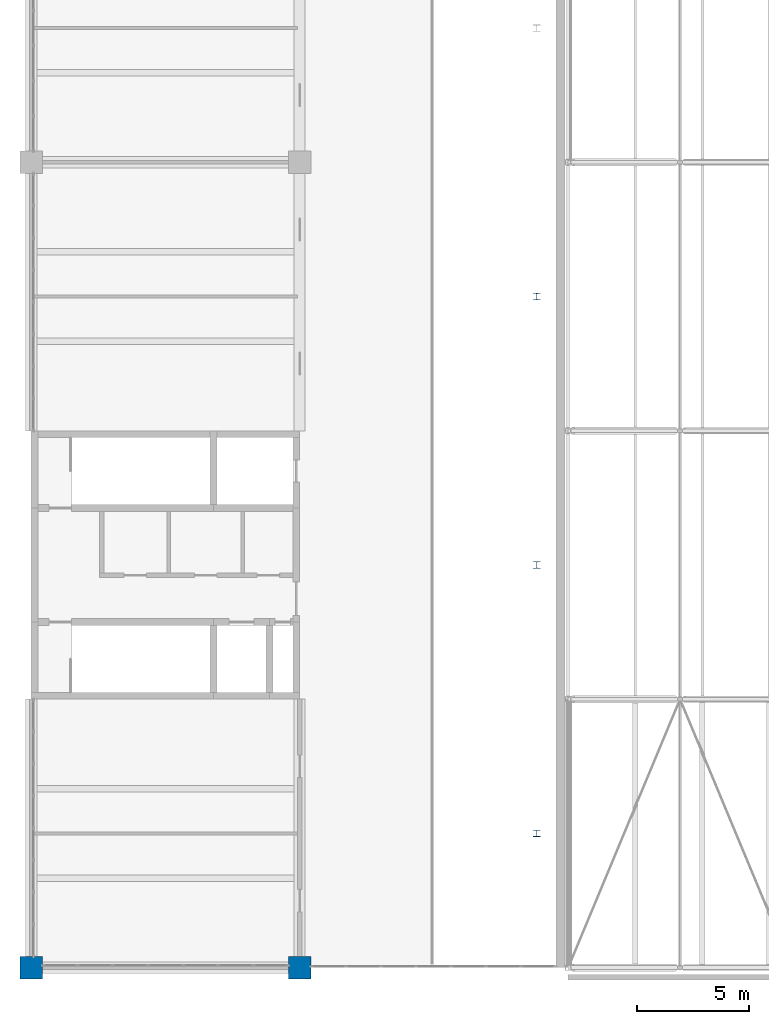
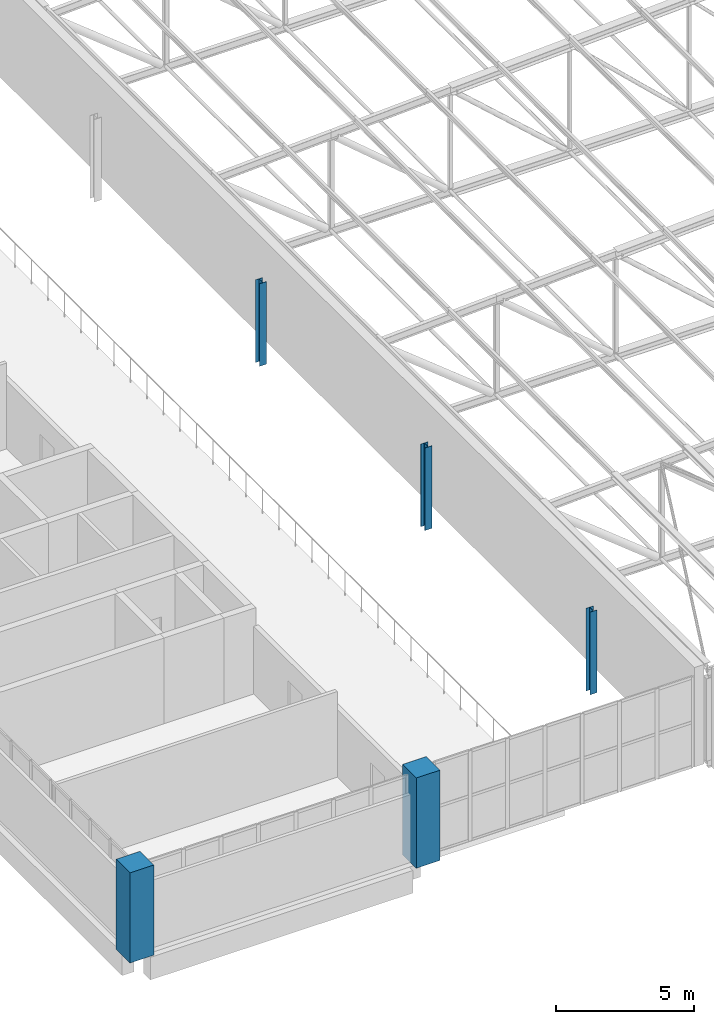
# One storey, part 1 of 156: 5 columns.
"""IFC4 building model written with IfcOpenShell, lengths in metres."""

from ifc_helpers import new_model, si_unit, direction, frame, origin, origin_2d, place, context, subcontext, project, spatial, rectangle, i_section, extrude, material, material_profile, profile_set, type_object, element, save


model = new_model("IFC4")

# Units and contexts
model_context = context("Model", 3, precision=1e-05, world=origin(), true_north=direction((0.0, 1.0)))
body_context = subcontext(model_context, "Body", "Model", "MODEL_VIEW")
ifc_project = project(units=[si_unit("LENGTHUNIT", "METRE"), si_unit("AREAUNIT", "SQUARE_METRE"), si_unit("VOLUMEUNIT", "CUBIC_METRE"), si_unit("PLANEANGLEUNIT", "RADIAN"), si_unit("MASSUNIT", "GRAM", prefix="KILO")], contexts=[model_context])

# Site, building, storey
site_placement = place(None, origin())
site = spatial("IfcSite", under=ifc_project, at=site_placement, CompositionType="ELEMENT")
building_placement = place(site_placement, origin())
building = spatial("IfcBuilding", under=site, at=building_placement, Name="Lilac Gate Convention Centre", CompositionType="ELEMENT")
storey_placement = place(building_placement, frame((0.0, 0.0, 17.0)))
storey = spatial("IfcBuildingStorey", under=building, at=storey_placement, Name="L03", CompositionType="ELEMENT", Elevation=17.0)

# Columns
ifc_material_1 = material(Name="Concrete C40", Category="concrete")
ifc_material_profile_1 = material_profile(ifc_material_1, rectangle(XDim=1.0, YDim=1.0, at=origin_2d()), Name="RC 1000x1000")
ifc_profile_set_1 = profile_set([ifc_material_profile_1], Name="Concrete C40")
column_type_1 = type_object("IfcColumnType", Name="RC column 1000x1000 C40", PredefinedType="COLUMN", material=ifc_profile_set_1)
for number, where, z_axis, x_axis, name in (
    (1, (6.0, 30.0, 0.0), (0.0, 0.0, 1.0), (1.0, 0.0, 0.0), "C1 L03 at 1/A"),
    (2, (18.0, 30.0, 0.0), (0.0, 0.0, 1.0), (1.0, 0.0, 0.0), "C1 L03 at 2/A"),
):
    element("IfcColumn", number, at=place(storey_placement, frame(where, z_axis=z_axis, x_axis=x_axis)), inside=storey, type_object=column_type_1, Name=name, PredefinedType="COLUMN", context=body_context, shape_type="SweptSolid", body=[
        extrude(rectangle(XDim=1.0, YDim=1.0, at=origin_2d()), origin(), (0.0, 0.0, 1.0), 4.0),
    ])
ifc_material_2 = material(Name="Steel Q355B", Category="steel")
ifc_material_profile_2 = material_profile(ifc_material_2, i_section(OverallWidth=0.300048828125, OverallDepth=0.300048828125, WebThickness=0.010009765625, FlangeThickness=0.014892578125, FilletRadius=0.012939453125, at=origin_2d()), Name="HW300x300x10x15")
ifc_profile_set_2 = profile_set([ifc_material_profile_2], Name="Steel Q355B")
column_type_2 = type_object("IfcColumnType", Name="Steel column HW300x300x10x15", PredefinedType="COLUMN", material=ifc_profile_set_2)
for number, where, z_axis, x_axis, name in (
    (3, (28.60009765625, 36.0, 0.0), (0.0, 0.0, 1.0), (1.0, 0.0, 0.0), "SC1 L03 atrium column at 36"),
    (4, (28.60009765625, 48.0, 0.0), (0.0, 0.0, 1.0), (1.0, 0.0, 0.0), "SC1 L03 atrium column at 48"),
    (5, (28.60009765625, 60.0, 0.0), (0.0, 0.0, 1.0), (1.0, 0.0, 0.0), "SC1 L03 atrium column at 60"),
):
    element("IfcColumn", number, at=place(storey_placement, frame(where, z_axis=z_axis, x_axis=x_axis)), inside=storey, type_object=column_type_2, Name=name, PredefinedType="COLUMN", context=body_context, shape_type="SweptSolid", body=[
        extrude(i_section(OverallWidth=0.300048828125, OverallDepth=0.300048828125, WebThickness=0.010009765625, FlangeThickness=0.014892578125, FilletRadius=0.012939453125, at=origin_2d()), origin(), (0.0, 0.0, 1.0), 3.659912109375),
    ])

save(model, "model.ifc")
